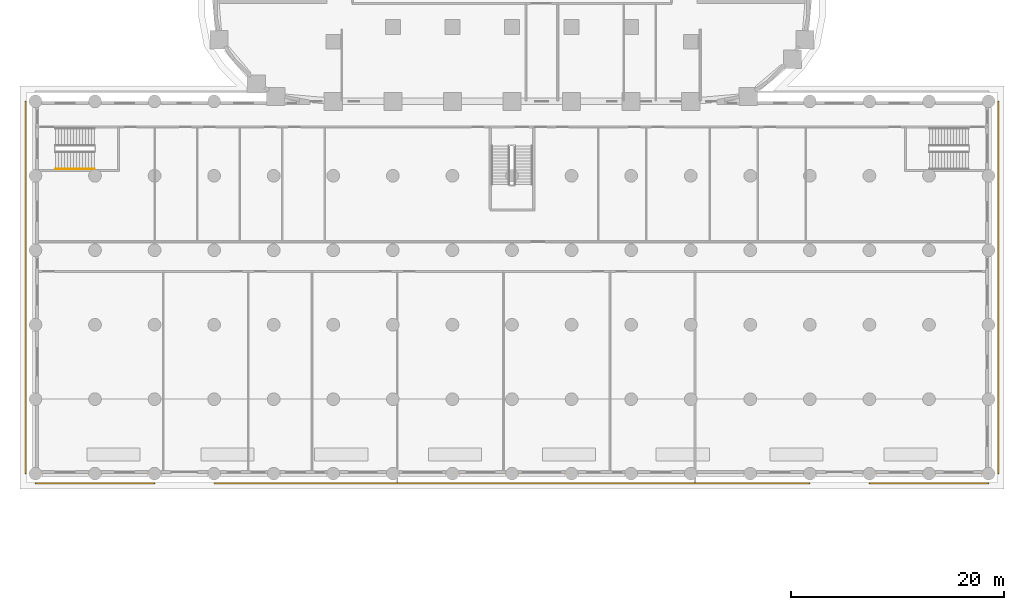
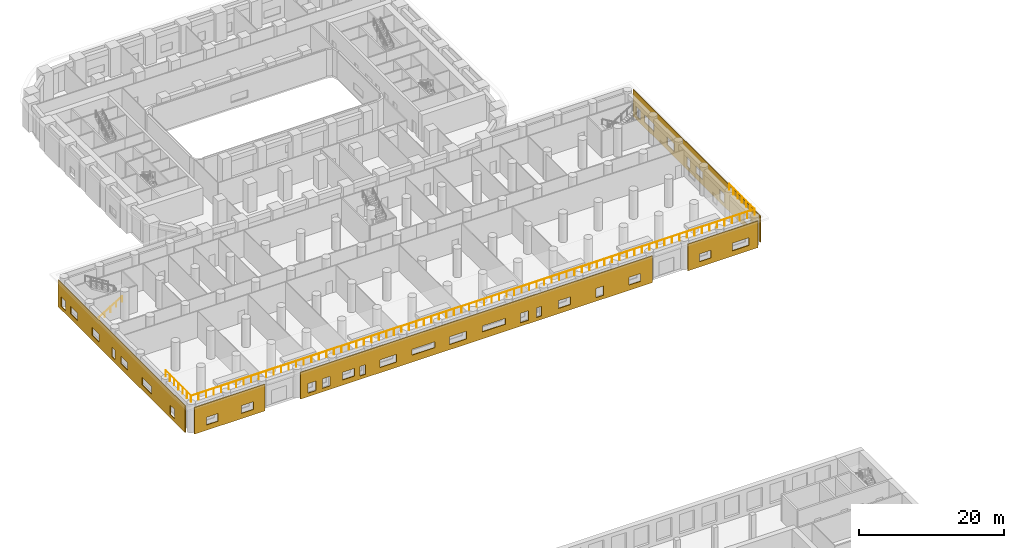
# One storey, part 20 of 27: 5 coverings, 2 railings.
"""IFC4 building model written with IfcOpenShell, lengths in metres."""

from ifc_helpers import new_model, si_unit, direction, frame, origin, origin_2d, place, context, subcontext, project, spatial, polyline, circle, outline, extrude, material, layer, layer_set, type_object, element, save


model = new_model("IFC4")

# Units and contexts
model_context = context("Model", 3, precision=1e-05, world=origin(), true_north=direction((0.0, 1.0)))
body_context = subcontext(model_context, "Body", "Model", "MODEL_VIEW")
ifc_project = project(units=[si_unit("LENGTHUNIT", "METRE"), si_unit("AREAUNIT", "SQUARE_METRE"), si_unit("VOLUMEUNIT", "CUBIC_METRE"), si_unit("PLANEANGLEUNIT", "RADIAN"), si_unit("MASSUNIT", "GRAM", prefix="KILO")], contexts=[model_context])

# Site, building, storey
site_placement = place(None, origin())
site = spatial("IfcSite", under=ifc_project, at=site_placement, CompositionType="ELEMENT")
building_placement = place(site_placement, origin())
building = spatial("IfcBuilding", under=site, at=building_placement, Name="Kiln Ring Residences", CompositionType="ELEMENT")
storey_placement = place(building_placement, frame((0.0, 0.0, 6.5)))
storey = spatial("IfcBuildingStorey", under=building, at=storey_placement, Name="L01", CompositionType="ELEMENT", Elevation=6.5)

# Railing
ifc_material_1 = material(Name="Stainless steel", Category="steel")
railing_type_1 = type_object("IfcRailingType", Name="PODIUM-STAIR-HANDRAIL", PredefinedType="HANDRAIL", material=ifc_material_1)
railing_1_placement = place(storey_placement, frame((-42.89990234375, -28.75, 0.17138671875)))
element("IfcRailing", 1, at=railing_1_placement, inside=storey, type_object=railing_type_1, Name="L01 PS-W stair handrail 1", PredefinedType="HANDRAIL", context=body_context, shape_type="SweptSolid", body=[
    extrude(circle(Radius=0.02392578125, at=origin_2d()), frame((0.0, 0.0, 0.8759765625), z_axis=(0.852850264322, 0.0, 0.5221555579), x_axis=(0.0, 1.0, 0.0)), (0.0, 0.0, 1.0), 4.267822265625),
    extrude(circle(Radius=0.02099609375, at=origin_2d()), origin(), (0.0, 0.0, 1.0), 0.851806640625),
    extrude(circle(Radius=0.02099609375, at=origin_2d()), frame((0.909912109375, 0.0, 0.55712890625)), (0.0, 0.0, 1.0), 0.851806640625),
    extrude(circle(Radius=0.02099609375, at=origin_2d()), frame((1.81982421875, 0.0, 1.1142578125)), (0.0, 0.0, 1.0), 0.851806640625),
    extrude(circle(Radius=0.02099609375, at=origin_2d()), frame((2.72998046875, 0.0, 1.67138671875)), (0.0, 0.0, 1.0), 0.851806640625),
    extrude(circle(Radius=0.02099609375, at=origin_2d()), frame((3.639892578125, 0.0, 2.228515625)), (0.0, 0.0, 1.0), 0.851806640625),
])

# Coverings
ifc_material_2 = material(Name="Brick masonry, dark clay brick", Category="masonry")
ifc_layer = layer(ifc_material_2, 0.1201171875)
ifc_layer_set = layer_set([ifc_layer], Name="RAINSCREEN PANEL 120")
covering_type = type_object("IfcCoveringType", Name="RAINSCREEN PANEL 120", PredefinedType="CLADDING", material=ifc_layer_set)
covering_1_placement = place(storey_placement, frame((45.7099609375, -57.39990234375, 0.0), z_axis=(0.0, 0.0, 1.0), x_axis=(0.0, 1.0, 0.0)))
element("IfcCovering", 2, at=covering_1_placement, inside=storey, type_object=covering_type, Name="RAINSCREEN L01", PredefinedType="CLADDING", context=body_context, shape_type="SweptSolid", body=[
    extrude(outline(polyline([(0.0, 0.0), (35.0, 0.0), (35.0, 4.5), (0.0, 4.5), (0.0, 0.0)]), holes=[polyline([(11.1201171875, 0.580078125), (11.1201171875, 2.169921875), (9.8798828125, 2.169921875), (9.8798828125, 0.580078125), (11.1201171875, 0.580078125)]), polyline([(19.3173828125, 0.580078125), (20.157470703125, 0.580078125), (20.157470703125, 2.169921875), (19.3173828125, 2.169921875), (19.3173828125, 0.580078125)]), polyline([(32.91748046875, 0.580078125), (34.157470703125, 0.580078125), (34.157470703125, 2.169921875), (32.91748046875, 2.169921875), (32.91748046875, 0.580078125)]), polyline([(2.580078125, 0.8798828125), (4.419921875, 0.8798828125), (4.419921875, 2.169921875), (2.580078125, 2.169921875), (2.580078125, 0.8798828125)]), polyline([(15.842529296875, 0.8798828125), (17.6826171875, 0.8798828125), (17.6826171875, 2.169921875), (15.842529296875, 2.169921875), (15.842529296875, 0.8798828125)]), polyline([(23.717529296875, 0.8798828125), (25.5576171875, 0.8798828125), (25.5576171875, 2.169921875), (23.717529296875, 2.169921875), (23.717529296875, 0.8798828125)]), polyline([(29.242431640625, 0.8798828125), (31.882568359375, 0.8798828125), (31.882568359375, 2.169921875), (29.242431640625, 2.169921875), (29.242431640625, 0.8798828125)])]), frame((0.0, 0.06005859375, 0.0), z_axis=(0.0, -1.0, 0.0), x_axis=(1.0, 0.0, 0.0)), (0.0, 0.0, 1.0), 0.1201171875),
])
covering_2_placement = place(storey_placement, frame((-45.7099609375, -22.39990234375, 0.0), z_axis=(0.0, 0.0, 1.0), x_axis=(0.0, -1.0, 0.0)))
element("IfcCovering", 3, at=covering_2_placement, inside=storey, type_object=covering_type, Name="RAINSCREEN L01", PredefinedType="CLADDING", context=body_context, shape_type="SweptSolid", body=[
    extrude(outline(polyline([(0.0, 0.0), (35.0, 0.0), (35.0, 4.5), (0.0, 4.5), (0.0, 0.0)]), holes=[polyline([(2.08251953125, 0.580078125), (2.08251953125, 2.169921875), (0.842529296875, 2.169921875), (0.842529296875, 0.580078125), (2.08251953125, 0.580078125)]), polyline([(14.842529296875, 0.580078125), (15.6826171875, 0.580078125), (15.6826171875, 2.169921875), (14.842529296875, 2.169921875), (14.842529296875, 0.580078125)]), polyline([(30.89990234375, 0.60009765625), (32.10009765625, 0.60009765625), (32.10009765625, 2.14990234375), (30.89990234375, 2.14990234375), (30.89990234375, 0.60009765625)]), polyline([(3.517578125, 0.8798828125), (5.357421875, 0.8798828125), (5.357421875, 2.169921875), (3.517578125, 2.169921875), (3.517578125, 0.8798828125)]), polyline([(9.4423828125, 0.8798828125), (11.282470703125, 0.8798828125), (11.282470703125, 2.169921875), (9.4423828125, 2.169921875), (9.4423828125, 0.8798828125)]), polyline([(17.3173828125, 0.8798828125), (19.157470703125, 0.8798828125), (19.157470703125, 2.169921875), (17.3173828125, 2.169921875), (17.3173828125, 0.8798828125)]), polyline([(23.179931640625, 0.8798828125), (25.820068359375, 0.8798828125), (25.820068359375, 2.169921875), (23.179931640625, 2.169921875), (23.179931640625, 0.8798828125)])]), frame((0.0, 0.06005859375, 0.0), z_axis=(0.0, -1.0, 0.0), x_axis=(1.0, 0.0, 0.0)), (0.0, 0.0, 1.0), 0.1201171875),
])
covering_3_placement = place(storey_placement, frame((-44.800048828125, -58.31005859375, 0.0), z_axis=(0.0, 0.0, 1.0), x_axis=(1.0, 0.0, 0.0)))
element("IfcCovering", 4, at=covering_3_placement, inside=storey, type_object=covering_type, Name="RAINSCREEN L01", PredefinedType="CLADDING", context=body_context, shape_type="SweptSolid", body=[
    extrude(outline(polyline([(0.0, 0.0), (11.199951171875, 0.0), (11.199951171875, 4.5), (0.0, 4.5), (0.0, 0.0)]), holes=[polyline([(3.719970703125, 2.169921875), (1.8798828125, 2.169921875), (1.8798828125, 0.8798828125), (3.719970703125, 0.8798828125), (3.719970703125, 2.169921875)]), polyline([(9.320068359375, 2.169921875), (7.47998046875, 2.169921875), (7.47998046875, 0.8798828125), (9.320068359375, 0.8798828125), (9.320068359375, 2.169921875)])]), frame((0.0, 0.06005859375, 0.0), z_axis=(0.0, -1.0, 0.0), x_axis=(1.0, 0.0, 0.0)), (0.0, 0.0, 1.0), 0.1201171875),
])
covering_4_placement = place(storey_placement, frame((-28.0, -58.31005859375, 0.0), z_axis=(0.0, 0.0, 1.0), x_axis=(1.0, 0.0, 0.0)))
element("IfcCovering", 5, at=covering_4_placement, inside=storey, type_object=covering_type, Name="RAINSCREEN L01", PredefinedType="CLADDING", context=body_context, shape_type="SweptSolid", body=[
    extrude(outline(polyline([(0.0, 0.0), (56.0, 0.0), (56.0, 4.5), (0.0, 4.5), (0.0, 0.0)]), holes=[polyline([(1.242431640625, 0.580078125), (2.482421875, 0.580078125), (2.482421875, 2.169921875), (1.242431640625, 2.169921875), (1.242431640625, 0.580078125)]), polyline([(3.517578125, 2.169921875), (3.517578125, 0.580078125), (4.757568359375, 0.580078125), (4.757568359375, 2.169921875), (3.517578125, 2.169921875)]), polyline([(9.517578125, 2.169921875), (9.517578125, 0.580078125), (10.357421875, 0.580078125), (10.357421875, 2.169921875), (9.517578125, 2.169921875)]), polyline([(6.742431640625, 0.8798828125), (8.58251953125, 0.8798828125), (8.58251953125, 2.169921875), (6.742431640625, 2.169921875), (6.742431640625, 0.8798828125)]), polyline([(12.679931640625, 2.169921875), (12.679931640625, 0.8798828125), (15.320068359375, 0.8798828125), (15.320068359375, 2.169921875), (12.679931640625, 2.169921875)]), polyline([(23.742431640625, 2.169921875), (23.742431640625, 0.8798828125), (26.382568359375, 0.8798828125), (26.382568359375, 2.169921875), (23.742431640625, 2.169921875)]), polyline([(17.780029296875, 1.179931640625), (21.419921875, 1.179931640625), (21.419921875, 2.169921875), (17.780029296875, 2.169921875), (17.780029296875, 1.179931640625)]), polyline([(35.04248046875, 2.169921875), (35.04248046875, 0.580078125), (36.282470703125, 0.580078125), (36.282470703125, 2.169921875), (35.04248046875, 2.169921875)]), polyline([(37.517578125, 2.169921875), (37.517578125, 0.580078125), (38.357421875, 0.580078125), (38.357421875, 2.169921875), (37.517578125, 2.169921875)]), polyline([(47.0, 2.14990234375), (47.0, 0.60009765625), (48.199951171875, 0.60009765625), (48.199951171875, 2.14990234375), (47.0, 2.14990234375)]), polyline([(41.080078125, 2.169921875), (41.080078125, 0.8798828125), (42.919921875, 0.8798828125), (42.919921875, 2.169921875), (41.080078125, 2.169921875)]), polyline([(52.280029296875, 2.169921875), (52.280029296875, 0.8798828125), (54.1201171875, 0.8798828125), (54.1201171875, 2.169921875), (52.280029296875, 2.169921875)]), polyline([(28.97998046875, 2.169921875), (28.97998046875, 1.179931640625), (32.6201171875, 1.179931640625), (32.6201171875, 2.169921875), (28.97998046875, 2.169921875)])]), frame((0.0, 0.06005859375, 0.0), z_axis=(0.0, -1.0, 0.0), x_axis=(1.0, 0.0, 0.0)), (0.0, 0.0, 1.0), 0.1201171875),
])
covering_5_placement = place(storey_placement, frame((33.60009765625, -58.31005859375, 0.0), z_axis=(0.0, 0.0, 1.0), x_axis=(1.0, 0.0, 0.0)))
element("IfcCovering", 6, at=covering_5_placement, inside=storey, type_object=covering_type, Name="RAINSCREEN L01", PredefinedType="CLADDING", context=body_context, shape_type="SweptSolid", body=[
    extrude(outline(polyline([(0.0, 0.0), (11.199951171875, 0.0), (11.199951171875, 4.5), (0.0, 4.5), (0.0, 0.0)]), holes=[polyline([(3.719970703125, 2.169921875), (1.8798828125, 2.169921875), (1.8798828125, 0.8798828125), (3.719970703125, 0.8798828125), (3.719970703125, 2.169921875)]), polyline([(9.719970703125, 2.169921875), (7.080078125, 2.169921875), (7.080078125, 0.8798828125), (9.719970703125, 0.8798828125), (9.719970703125, 2.169921875)])]), frame((0.0, 0.06005859375, 0.0), z_axis=(0.0, -1.0, 0.0), x_axis=(1.0, 0.0, 0.0)), (0.0, 0.0, 1.0), 0.1201171875),
])

# Railing
ifc_material_3 = material(Name="Black powder-coated steel", Category="steel")
railing_type_2 = type_object("IfcRailingType", Name="TERRACE GUARD 1100", PredefinedType="GUARDRAIL", material=ifc_material_3)
railing_2_placement = place(storey_placement, frame((-44.800048828125, -50.39990234375, 4.800048828125)))
element("IfcRailing", 7, at=railing_2_placement, inside=storey, type_object=railing_type_2, Name="GUARD terrace L01", PredefinedType="GUARDRAIL", context=body_context, shape_type="SweptSolid", body=[
    extrude(circle(Radius=0.02392578125, at=origin_2d()), frame((0.0, 0.0, 1.076171875), z_axis=(0.0, -1.0, 0.0), x_axis=(1.0, 0.0, 0.0)), (0.0, 0.0, 1.0), 7.0),
    extrude(circle(Radius=0.02392578125, at=origin_2d()), frame((0.0, -7.0, 1.076171875), z_axis=(1.0, 0.0, 0.0), x_axis=(0.0, 1.0, 0.0)), (0.0, 0.0, 1.0), 89.60009765625),
    extrude(circle(Radius=0.02392578125, at=origin_2d()), frame((89.60009765625, -7.0, 1.076171875), z_axis=(0.0, 1.0, 0.0), x_axis=(-1.0, 0.0, 0.0)), (0.0, 0.0, 1.0), 7.0),
    extrude(circle(Radius=0.02099609375, at=origin_2d()), origin(), (0.0, 0.0, 1.0), 1.052001953125),
    extrude(circle(Radius=0.02099609375, at=origin_2d()), frame((0.0, -1.166748046875, 0.0)), (0.0, 0.0, 1.0), 1.052001953125),
    extrude(circle(Radius=0.02099609375, at=origin_2d()), frame((0.0, -2.333251953125, 0.0)), (0.0, 0.0, 1.0), 1.052001953125),
    extrude(circle(Radius=0.02099609375, at=origin_2d()), frame((0.0, -3.5, 0.0)), (0.0, 0.0, 1.0), 1.052001953125),
    extrude(circle(Radius=0.02099609375, at=origin_2d()), frame((0.0, -4.666748046875, 0.0)), (0.0, 0.0, 1.0), 1.052001953125),
    extrude(circle(Radius=0.02099609375, at=origin_2d()), frame((0.0, -5.833251953125, 0.0)), (0.0, 0.0, 1.0), 1.052001953125),
    extrude(circle(Radius=0.02099609375, at=origin_2d()), frame((0.0, -7.0, 0.0)), (0.0, 0.0, 1.0), 1.052001953125),
    extrude(circle(Radius=0.02099609375, at=origin_2d()), frame((1.194580078125, -7.0, 0.0)), (0.0, 0.0, 1.0), 1.052001953125),
    extrude(circle(Radius=0.02099609375, at=origin_2d()), frame((2.389404296875, -7.0, 0.0)), (0.0, 0.0, 1.0), 1.052001953125),
    extrude(circle(Radius=0.02099609375, at=origin_2d()), frame((3.583984375, -7.0, 0.0)), (0.0, 0.0, 1.0), 1.052001953125),
    extrude(circle(Radius=0.02099609375, at=origin_2d()), frame((4.778564453125, -7.0, 0.0)), (0.0, 0.0, 1.0), 1.052001953125),
    extrude(circle(Radius=0.02099609375, at=origin_2d()), frame((5.973388671875, -7.0, 0.0)), (0.0, 0.0, 1.0), 1.052001953125),
    extrude(circle(Radius=0.02099609375, at=origin_2d()), frame((7.16796875, -7.0, 0.0)), (0.0, 0.0, 1.0), 1.052001953125),
    extrude(circle(Radius=0.02099609375, at=origin_2d()), frame((8.36279296875, -7.0, 0.0)), (0.0, 0.0, 1.0), 1.052001953125),
    extrude(circle(Radius=0.02099609375, at=origin_2d()), frame((9.557373046875, -7.0, 0.0)), (0.0, 0.0, 1.0), 1.052001953125),
    extrude(circle(Radius=0.02099609375, at=origin_2d()), frame((10.751953125, -7.0, 0.0)), (0.0, 0.0, 1.0), 1.052001953125),
    extrude(circle(Radius=0.02099609375, at=origin_2d()), frame((11.94677734375, -7.0, 0.0)), (0.0, 0.0, 1.0), 1.052001953125),
    extrude(circle(Radius=0.02099609375, at=origin_2d()), frame((13.141357421875, -7.0, 0.0)), (0.0, 0.0, 1.0), 1.052001953125),
    extrude(circle(Radius=0.02099609375, at=origin_2d()), frame((14.3359375, -7.0, 0.0)), (0.0, 0.0, 1.0), 1.052001953125),
    extrude(circle(Radius=0.02099609375, at=origin_2d()), frame((15.53076171875, -7.0, 0.0)), (0.0, 0.0, 1.0), 1.052001953125),
    extrude(circle(Radius=0.02099609375, at=origin_2d()), frame((16.725341796875, -7.0, 0.0)), (0.0, 0.0, 1.0), 1.052001953125),
    extrude(circle(Radius=0.02099609375, at=origin_2d()), frame((17.919921875, -7.0, 0.0)), (0.0, 0.0, 1.0), 1.052001953125),
    extrude(circle(Radius=0.02099609375, at=origin_2d()), frame((19.11474609375, -7.0, 0.0)), (0.0, 0.0, 1.0), 1.052001953125),
    extrude(circle(Radius=0.02099609375, at=origin_2d()), frame((20.309326171875, -7.0, 0.0)), (0.0, 0.0, 1.0), 1.052001953125),
    extrude(circle(Radius=0.02099609375, at=origin_2d()), frame((21.50390625, -7.0, 0.0)), (0.0, 0.0, 1.0), 1.052001953125),
    extrude(circle(Radius=0.02099609375, at=origin_2d()), frame((22.69873046875, -7.0, 0.0)), (0.0, 0.0, 1.0), 1.052001953125),
    extrude(circle(Radius=0.02099609375, at=origin_2d()), frame((23.893310546875, -7.0, 0.0)), (0.0, 0.0, 1.0), 1.052001953125),
    extrude(circle(Radius=0.02099609375, at=origin_2d()), frame((25.088134765625, -7.0, 0.0)), (0.0, 0.0, 1.0), 1.052001953125),
    extrude(circle(Radius=0.02099609375, at=origin_2d()), frame((26.28271484375, -7.0, 0.0)), (0.0, 0.0, 1.0), 1.052001953125),
    extrude(circle(Radius=0.02099609375, at=origin_2d()), frame((27.477294921875, -7.0, 0.0)), (0.0, 0.0, 1.0), 1.052001953125),
    extrude(circle(Radius=0.02099609375, at=origin_2d()), frame((28.672119140625, -7.0, 0.0)), (0.0, 0.0, 1.0), 1.052001953125),
    extrude(circle(Radius=0.02099609375, at=origin_2d()), frame((29.86669921875, -7.0, 0.0)), (0.0, 0.0, 1.0), 1.052001953125),
    extrude(circle(Radius=0.02099609375, at=origin_2d()), frame((31.061279296875, -7.0, 0.0)), (0.0, 0.0, 1.0), 1.052001953125),
    extrude(circle(Radius=0.02099609375, at=origin_2d()), frame((32.256103515625, -7.0, 0.0)), (0.0, 0.0, 1.0), 1.052001953125),
    extrude(circle(Radius=0.02099609375, at=origin_2d()), frame((33.45068359375, -7.0, 0.0)), (0.0, 0.0, 1.0), 1.052001953125),
    extrude(circle(Radius=0.02099609375, at=origin_2d()), frame((34.645263671875, -7.0, 0.0)), (0.0, 0.0, 1.0), 1.052001953125),
    extrude(circle(Radius=0.02099609375, at=origin_2d()), frame((35.840087890625, -7.0, 0.0)), (0.0, 0.0, 1.0), 1.052001953125),
    extrude(circle(Radius=0.02099609375, at=origin_2d()), frame((37.03466796875, -7.0, 0.0)), (0.0, 0.0, 1.0), 1.052001953125),
    extrude(circle(Radius=0.02099609375, at=origin_2d()), frame((38.2294921875, -7.0, 0.0)), (0.0, 0.0, 1.0), 1.052001953125),
    extrude(circle(Radius=0.02099609375, at=origin_2d()), frame((39.424072265625, -7.0, 0.0)), (0.0, 0.0, 1.0), 1.052001953125),
    extrude(circle(Radius=0.02099609375, at=origin_2d()), frame((40.61865234375, -7.0, 0.0)), (0.0, 0.0, 1.0), 1.052001953125),
    extrude(circle(Radius=0.02099609375, at=origin_2d()), frame((41.8134765625, -7.0, 0.0)), (0.0, 0.0, 1.0), 1.052001953125),
    extrude(circle(Radius=0.02099609375, at=origin_2d()), frame((43.008056640625, -7.0, 0.0)), (0.0, 0.0, 1.0), 1.052001953125),
    extrude(circle(Radius=0.02099609375, at=origin_2d()), frame((44.20263671875, -7.0, 0.0)), (0.0, 0.0, 1.0), 1.052001953125),
    extrude(circle(Radius=0.02099609375, at=origin_2d()), frame((45.3974609375, -7.0, 0.0)), (0.0, 0.0, 1.0), 1.052001953125),
    extrude(circle(Radius=0.02099609375, at=origin_2d()), frame((46.592041015625, -7.0, 0.0)), (0.0, 0.0, 1.0), 1.052001953125),
    extrude(circle(Radius=0.02099609375, at=origin_2d()), frame((47.78662109375, -7.0, 0.0)), (0.0, 0.0, 1.0), 1.052001953125),
    extrude(circle(Radius=0.02099609375, at=origin_2d()), frame((48.9814453125, -7.0, 0.0)), (0.0, 0.0, 1.0), 1.052001953125),
    extrude(circle(Radius=0.02099609375, at=origin_2d()), frame((50.176025390625, -7.0, 0.0)), (0.0, 0.0, 1.0), 1.052001953125),
    extrude(circle(Radius=0.02099609375, at=origin_2d()), frame((51.37060546875, -7.0, 0.0)), (0.0, 0.0, 1.0), 1.052001953125),
    extrude(circle(Radius=0.02099609375, at=origin_2d()), frame((52.5654296875, -7.0, 0.0)), (0.0, 0.0, 1.0), 1.052001953125),
    extrude(circle(Radius=0.02099609375, at=origin_2d()), frame((53.760009765625, -7.0, 0.0)), (0.0, 0.0, 1.0), 1.052001953125),
    extrude(circle(Radius=0.02099609375, at=origin_2d()), frame((54.954833984375, -7.0, 0.0)), (0.0, 0.0, 1.0), 1.052001953125),
    extrude(circle(Radius=0.02099609375, at=origin_2d()), frame((56.1494140625, -7.0, 0.0)), (0.0, 0.0, 1.0), 1.052001953125),
    extrude(circle(Radius=0.02099609375, at=origin_2d()), frame((57.343994140625, -7.0, 0.0)), (0.0, 0.0, 1.0), 1.052001953125),
    extrude(circle(Radius=0.02099609375, at=origin_2d()), frame((58.538818359375, -7.0, 0.0)), (0.0, 0.0, 1.0), 1.052001953125),
    extrude(circle(Radius=0.02099609375, at=origin_2d()), frame((59.7333984375, -7.0, 0.0)), (0.0, 0.0, 1.0), 1.052001953125),
    extrude(circle(Radius=0.02099609375, at=origin_2d()), frame((60.927978515625, -7.0, 0.0)), (0.0, 0.0, 1.0), 1.052001953125),
    extrude(circle(Radius=0.02099609375, at=origin_2d()), frame((62.122802734375, -7.0, 0.0)), (0.0, 0.0, 1.0), 1.052001953125),
    extrude(circle(Radius=0.02099609375, at=origin_2d()), frame((63.3173828125, -7.0, 0.0)), (0.0, 0.0, 1.0), 1.052001953125),
    extrude(circle(Radius=0.02099609375, at=origin_2d()), frame((64.511962890625, -7.0, 0.0)), (0.0, 0.0, 1.0), 1.052001953125),
    extrude(circle(Radius=0.02099609375, at=origin_2d()), frame((65.706787109375, -7.0, 0.0)), (0.0, 0.0, 1.0), 1.052001953125),
    extrude(circle(Radius=0.02099609375, at=origin_2d()), frame((66.9013671875, -7.0, 0.0)), (0.0, 0.0, 1.0), 1.052001953125),
    extrude(circle(Radius=0.02099609375, at=origin_2d()), frame((68.09619140625, -7.0, 0.0)), (0.0, 0.0, 1.0), 1.052001953125),
    extrude(circle(Radius=0.02099609375, at=origin_2d()), frame((69.290771484375, -7.0, 0.0)), (0.0, 0.0, 1.0), 1.052001953125),
    extrude(circle(Radius=0.02099609375, at=origin_2d()), frame((70.4853515625, -7.0, 0.0)), (0.0, 0.0, 1.0), 1.052001953125),
    extrude(circle(Radius=0.02099609375, at=origin_2d()), frame((71.68017578125, -7.0, 0.0)), (0.0, 0.0, 1.0), 1.052001953125),
    extrude(circle(Radius=0.02099609375, at=origin_2d()), frame((72.874755859375, -7.0, 0.0)), (0.0, 0.0, 1.0), 1.052001953125),
    extrude(circle(Radius=0.02099609375, at=origin_2d()), frame((74.0693359375, -7.0, 0.0)), (0.0, 0.0, 1.0), 1.052001953125),
    extrude(circle(Radius=0.02099609375, at=origin_2d()), frame((75.26416015625, -7.0, 0.0)), (0.0, 0.0, 1.0), 1.052001953125),
    extrude(circle(Radius=0.02099609375, at=origin_2d()), frame((76.458740234375, -7.0, 0.0)), (0.0, 0.0, 1.0), 1.052001953125),
    extrude(circle(Radius=0.02099609375, at=origin_2d()), frame((77.6533203125, -7.0, 0.0)), (0.0, 0.0, 1.0), 1.052001953125),
    extrude(circle(Radius=0.02099609375, at=origin_2d()), frame((78.84814453125, -7.0, 0.0)), (0.0, 0.0, 1.0), 1.052001953125),
    extrude(circle(Radius=0.02099609375, at=origin_2d()), frame((80.042724609375, -7.0, 0.0)), (0.0, 0.0, 1.0), 1.052001953125),
    extrude(circle(Radius=0.02099609375, at=origin_2d()), frame((81.2373046875, -7.0, 0.0)), (0.0, 0.0, 1.0), 1.052001953125),
    extrude(circle(Radius=0.02099609375, at=origin_2d()), frame((82.43212890625, -7.0, 0.0)), (0.0, 0.0, 1.0), 1.052001953125),
    extrude(circle(Radius=0.02099609375, at=origin_2d()), frame((83.626708984375, -7.0, 0.0)), (0.0, 0.0, 1.0), 1.052001953125),
    extrude(circle(Radius=0.02099609375, at=origin_2d()), frame((84.821533203125, -7.0, 0.0)), (0.0, 0.0, 1.0), 1.052001953125),
    extrude(circle(Radius=0.02099609375, at=origin_2d()), frame((86.01611328125, -7.0, 0.0)), (0.0, 0.0, 1.0), 1.052001953125),
    extrude(circle(Radius=0.02099609375, at=origin_2d()), frame((87.210693359375, -7.0, 0.0)), (0.0, 0.0, 1.0), 1.052001953125),
    extrude(circle(Radius=0.02099609375, at=origin_2d()), frame((88.405517578125, -7.0, 0.0)), (0.0, 0.0, 1.0), 1.052001953125),
    extrude(circle(Radius=0.02099609375, at=origin_2d()), frame((89.60009765625, -7.0, 0.0)), (0.0, 0.0, 1.0), 1.052001953125),
    extrude(circle(Radius=0.02099609375, at=origin_2d()), frame((89.60009765625, -5.833251953125, 0.0)), (0.0, 0.0, 1.0), 1.052001953125),
    extrude(circle(Radius=0.02099609375, at=origin_2d()), frame((89.60009765625, -4.666748046875, 0.0)), (0.0, 0.0, 1.0), 1.052001953125),
    extrude(circle(Radius=0.02099609375, at=origin_2d()), frame((89.60009765625, -3.5, 0.0)), (0.0, 0.0, 1.0), 1.052001953125),
    extrude(circle(Radius=0.02099609375, at=origin_2d()), frame((89.60009765625, -2.333251953125, 0.0)), (0.0, 0.0, 1.0), 1.052001953125),
    extrude(circle(Radius=0.02099609375, at=origin_2d()), frame((89.60009765625, -1.166748046875, 0.0)), (0.0, 0.0, 1.0), 1.052001953125),
    extrude(circle(Radius=0.02099609375, at=origin_2d()), frame((89.60009765625, 0.0, 0.0)), (0.0, 0.0, 1.0), 1.052001953125),
])

save(model, "model.ifc")
